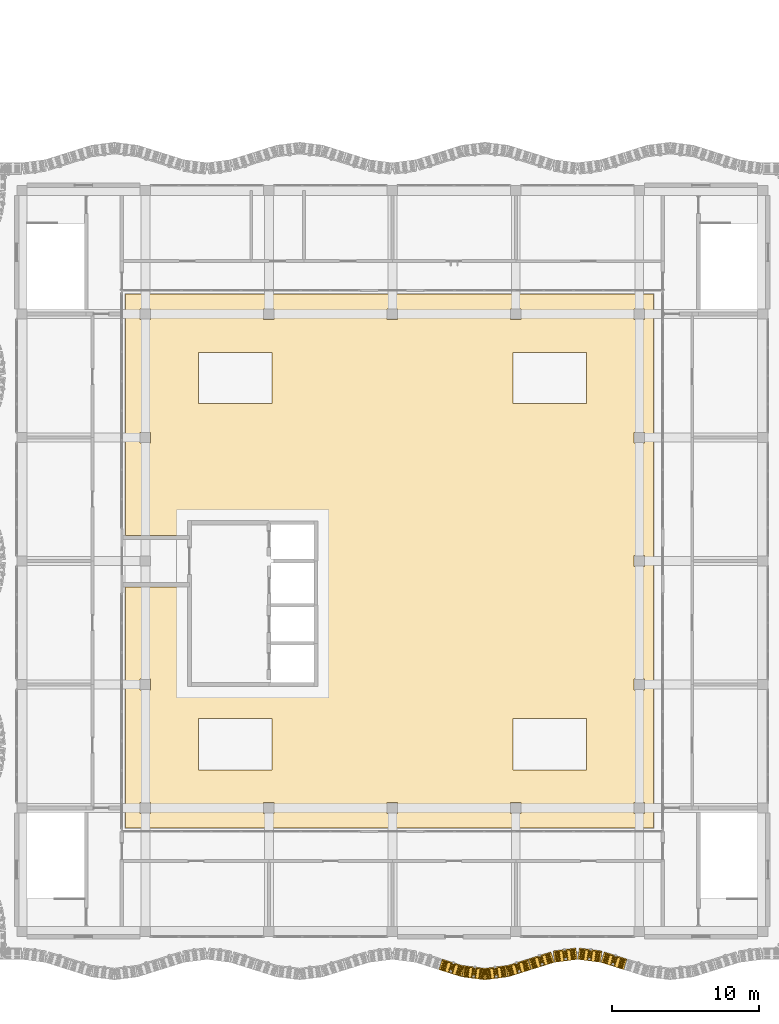
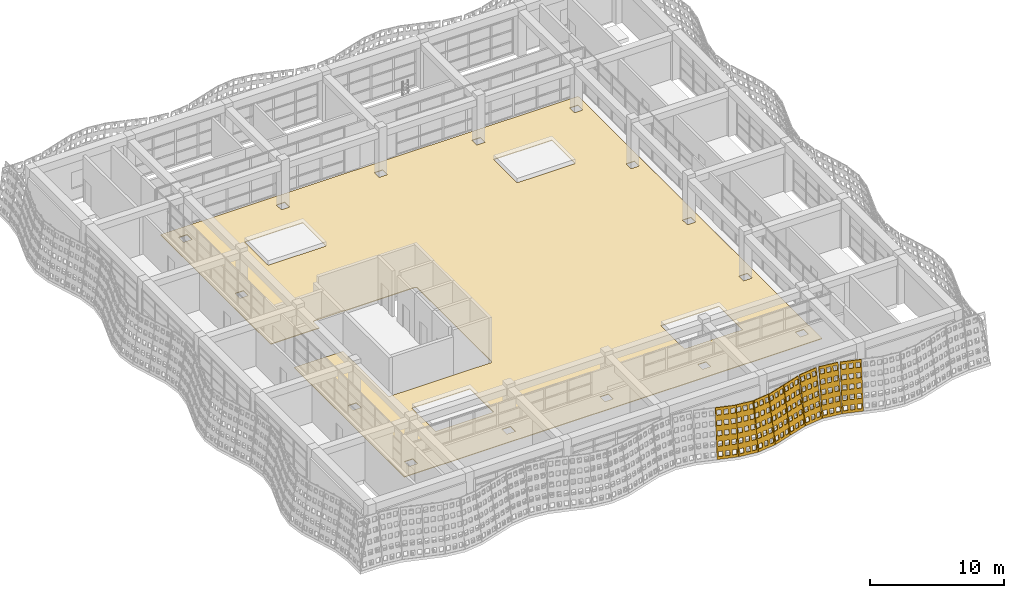
# One storey, part 75 of 85: 9 coverings.
"""IFC4 building model written with IfcOpenShell, lengths in metres."""

from ifc_helpers import new_model, si_unit, direction, frame, origin, place, context, subcontext, project, spatial, polyline, outline, extrude, material, layer, layer_set, type_object, element, save


model = new_model("IFC4")

# Units and contexts
model_context = context("Model", 3, precision=1e-05, world=origin(), true_north=direction((0.0, 1.0)))
body_context = subcontext(model_context, "Body", "Model", "MODEL_VIEW")
ifc_project = project(units=[si_unit("LENGTHUNIT", "METRE"), si_unit("AREAUNIT", "SQUARE_METRE"), si_unit("VOLUMEUNIT", "CUBIC_METRE"), si_unit("PLANEANGLEUNIT", "RADIAN"), si_unit("MASSUNIT", "GRAM", prefix="KILO")], contexts=[model_context])

# Site, building, storey
site_placement = place(None, origin())
site = spatial("IfcSite", under=ifc_project, at=site_placement, CompositionType="ELEMENT")
building_placement = place(site_placement, origin())
building = spatial("IfcBuilding", under=site, at=building_placement, Name="Rain Tree Exposition and Congress Centre", CompositionType="ELEMENT")
storey_placement = place(building_placement, frame((0.0, 0.0, 15.0)))
storey = spatial("IfcBuildingStorey", under=building, at=storey_placement, Name="L03", CompositionType="ELEMENT", Elevation=15.0)

# Coverings
ifc_material_1 = material(Name="Perforated terracotta", Category="masonry")
ifc_layer_1 = layer(ifc_material_1, 0.080078125)
ifc_layer_set_1 = layer_set([ifc_layer_1], Name="Perforated terracotta")
covering_type_1 = type_object("IfcCoveringType", Name="Terracotta screen 80", PredefinedType="CLADDING", material=ifc_layer_set_1)
covering_1_placement = place(storey_placement, frame((28.3505859375, -2.598388671875, 0.0126953125), z_axis=(0.295717964052, 0.942029390639, -0.158529217842), x_axis=(-0.954094597562, 0.29950542383, 0.0)))
element("IfcCovering", 1, at=covering_1_placement, inside=storey, type_object=covering_type_1, Name="wing/screen/L03/019", PredefinedType="CLADDING", context=body_context, shape_type="SweptSolid", body=[
    extrude(outline(polyline([(-1.62890625, 0.0), (-1.62890625, 4.291259765625), (-0.014892578125, 4.291259765625), (-0.014892578125, 0.0), (-1.62890625, 0.0)]), holes=[polyline([(-0.1171875, 0.221435546875), (-0.1171875, 0.63671875), (-0.45068359375, 0.63671875), (-0.45068359375, 0.221435546875), (-0.1171875, 0.221435546875)]), polyline([(-0.1171875, 1.07958984375), (-0.1171875, 1.4951171875), (-0.45068359375, 1.4951171875), (-0.45068359375, 1.07958984375), (-0.1171875, 1.07958984375)]), polyline([(-0.1171875, 1.93798828125), (-0.1171875, 2.353271484375), (-0.45068359375, 2.353271484375), (-0.45068359375, 1.93798828125), (-0.1171875, 1.93798828125)]), polyline([(-0.1171875, 2.796142578125), (-0.1171875, 3.21142578125), (-0.45068359375, 3.21142578125), (-0.45068359375, 2.796142578125), (-0.1171875, 2.796142578125)]), polyline([(-0.1171875, 3.654541015625), (-0.1171875, 4.06982421875), (-0.45068359375, 4.06982421875), (-0.45068359375, 3.654541015625), (-0.1171875, 3.654541015625)]), polyline([(-0.6552734375, 0.221435546875), (-0.6552734375, 0.63671875), (-0.98876953125, 0.63671875), (-0.98876953125, 0.221435546875), (-0.6552734375, 0.221435546875)]), polyline([(-0.6552734375, 1.07958984375), (-0.6552734375, 1.4951171875), (-0.98876953125, 1.4951171875), (-0.98876953125, 1.07958984375), (-0.6552734375, 1.07958984375)]), polyline([(-0.6552734375, 1.93798828125), (-0.6552734375, 2.353271484375), (-0.98876953125, 2.353271484375), (-0.98876953125, 1.93798828125), (-0.6552734375, 1.93798828125)]), polyline([(-0.6552734375, 2.796142578125), (-0.6552734375, 3.21142578125), (-0.98876953125, 3.21142578125), (-0.98876953125, 2.796142578125), (-0.6552734375, 2.796142578125)]), polyline([(-0.6552734375, 3.654541015625), (-0.6552734375, 4.06982421875), (-0.98876953125, 4.06982421875), (-0.98876953125, 3.654541015625), (-0.6552734375, 3.654541015625)]), polyline([(-1.193115234375, 0.221435546875), (-1.193115234375, 0.63671875), (-1.526611328125, 0.63671875), (-1.526611328125, 0.221435546875), (-1.193115234375, 0.221435546875)]), polyline([(-1.193115234375, 1.07958984375), (-1.193115234375, 1.4951171875), (-1.526611328125, 1.4951171875), (-1.526611328125, 1.07958984375), (-1.193115234375, 1.07958984375)]), polyline([(-1.193115234375, 1.93798828125), (-1.193115234375, 2.353271484375), (-1.526611328125, 2.353271484375), (-1.526611328125, 1.93798828125), (-1.193115234375, 1.93798828125)]), polyline([(-1.193115234375, 2.796142578125), (-1.193115234375, 3.21142578125), (-1.526611328125, 3.21142578125), (-1.526611328125, 2.796142578125), (-1.193115234375, 2.796142578125)]), polyline([(-1.193115234375, 3.654541015625), (-1.193115234375, 4.06982421875), (-1.526611328125, 4.06982421875), (-1.526611328125, 3.654541015625), (-1.193115234375, 3.654541015625)])]), origin(), (0.0, 0.0, 1.0), 0.080078125),
])
covering_2_placement = place(storey_placement, frame((29.92529296875, -3.093017578125, 0.01318359375), z_axis=(0.128349774249, 0.9779030419, -0.165021138321), x_axis=(-0.991496427865, 0.130133906157, 0.0)))
element("IfcCovering", 2, at=covering_2_placement, inside=storey, type_object=covering_type_1, Name="wing/screen/L03/020", PredefinedType="CLADDING", context=body_context, shape_type="SweptSolid", body=[
    extrude(outline(polyline([(-1.56298828125, 0.0), (-1.56298828125, 4.295166015625), (-0.02197265625, 4.295166015625), (-0.02197265625, 0.0), (-1.56298828125, 0.0)]), holes=[polyline([(-0.11962890625, 0.2216796875), (-0.11962890625, 0.63720703125), (-0.43798828125, 0.63720703125), (-0.43798828125, 0.2216796875), (-0.11962890625, 0.2216796875)]), polyline([(-0.11962890625, 1.080810546875), (-0.11962890625, 1.496337890625), (-0.43798828125, 1.496337890625), (-0.43798828125, 1.080810546875), (-0.11962890625, 1.080810546875)]), polyline([(-0.11962890625, 1.939697265625), (-0.11962890625, 2.35546875), (-0.43798828125, 2.35546875), (-0.43798828125, 1.939697265625), (-0.11962890625, 1.939697265625)]), polyline([(-0.11962890625, 2.798583984375), (-0.11962890625, 3.21435546875), (-0.43798828125, 3.21435546875), (-0.43798828125, 2.798583984375), (-0.11962890625, 2.798583984375)]), polyline([(-0.11962890625, 3.65771484375), (-0.11962890625, 4.073486328125), (-0.43798828125, 4.073486328125), (-0.43798828125, 3.65771484375), (-0.11962890625, 3.65771484375)]), polyline([(-0.63330078125, 0.2216796875), (-0.63330078125, 0.63720703125), (-0.95166015625, 0.63720703125), (-0.95166015625, 0.2216796875), (-0.63330078125, 0.2216796875)]), polyline([(-0.63330078125, 1.080810546875), (-0.63330078125, 1.496337890625), (-0.95166015625, 1.496337890625), (-0.95166015625, 1.080810546875), (-0.63330078125, 1.080810546875)]), polyline([(-0.63330078125, 1.939697265625), (-0.63330078125, 2.35546875), (-0.95166015625, 2.35546875), (-0.95166015625, 1.939697265625), (-0.63330078125, 1.939697265625)]), polyline([(-0.63330078125, 2.798583984375), (-0.63330078125, 3.21435546875), (-0.95166015625, 3.21435546875), (-0.95166015625, 2.798583984375), (-0.63330078125, 2.798583984375)]), polyline([(-0.63330078125, 3.65771484375), (-0.63330078125, 4.073486328125), (-0.95166015625, 4.073486328125), (-0.95166015625, 3.65771484375), (-0.63330078125, 3.65771484375)]), polyline([(-1.146728515625, 0.2216796875), (-1.146728515625, 0.63720703125), (-1.46533203125, 0.63720703125), (-1.46533203125, 0.2216796875), (-1.146728515625, 0.2216796875)]), polyline([(-1.146728515625, 1.080810546875), (-1.146728515625, 1.496337890625), (-1.46533203125, 1.496337890625), (-1.46533203125, 1.080810546875), (-1.146728515625, 1.080810546875)]), polyline([(-1.146728515625, 1.939697265625), (-1.146728515625, 2.35546875), (-1.46533203125, 2.35546875), (-1.46533203125, 1.939697265625), (-1.146728515625, 1.939697265625)]), polyline([(-1.146728515625, 2.798583984375), (-1.146728515625, 3.21435546875), (-1.46533203125, 3.21435546875), (-1.46533203125, 2.798583984375), (-1.146728515625, 2.798583984375)]), polyline([(-1.146728515625, 3.65771484375), (-1.146728515625, 4.073486328125), (-1.46533203125, 4.073486328125), (-1.46533203125, 3.65771484375), (-1.146728515625, 3.65771484375)])]), origin(), (0.0, 0.0, 1.0), 0.079833984375),
])
covering_3_placement = place(storey_placement, frame((31.499755859375, -3.298095703125, 0.01318359375), z_axis=(-0.128349774249, 0.9779030419, -0.165021138321), x_axis=(-0.991496427865, -0.130133906157, 0.0)))
element("IfcCovering", 3, at=covering_3_placement, inside=storey, type_object=covering_type_1, Name="wing/screen/L03/021", PredefinedType="CLADDING", context=body_context, shape_type="SweptSolid", body=[
    extrude(outline(polyline([(-1.56640625, 0.0), (-1.56640625, 4.295166015625), (-0.025390625, 4.295166015625), (-0.025390625, 0.0), (-1.56640625, 0.0)]), holes=[polyline([(-0.123046875, 0.2216796875), (-0.123046875, 0.63720703125), (-0.44140625, 0.63720703125), (-0.44140625, 0.2216796875), (-0.123046875, 0.2216796875)]), polyline([(-0.123046875, 1.080810546875), (-0.123046875, 1.496337890625), (-0.44140625, 1.496337890625), (-0.44140625, 1.080810546875), (-0.123046875, 1.080810546875)]), polyline([(-0.123046875, 1.939697265625), (-0.123046875, 2.35546875), (-0.44140625, 2.35546875), (-0.44140625, 1.939697265625), (-0.123046875, 1.939697265625)]), polyline([(-0.123046875, 2.798583984375), (-0.123046875, 3.21435546875), (-0.44140625, 3.21435546875), (-0.44140625, 2.798583984375), (-0.123046875, 2.798583984375)]), polyline([(-0.123046875, 3.65771484375), (-0.123046875, 4.073486328125), (-0.44140625, 4.073486328125), (-0.44140625, 3.65771484375), (-0.123046875, 3.65771484375)]), polyline([(-0.63671875, 0.2216796875), (-0.63671875, 0.63720703125), (-0.955078125, 0.63720703125), (-0.955078125, 0.2216796875), (-0.63671875, 0.2216796875)]), polyline([(-0.63671875, 1.080810546875), (-0.63671875, 1.496337890625), (-0.955078125, 1.496337890625), (-0.955078125, 1.080810546875), (-0.63671875, 1.080810546875)]), polyline([(-0.63671875, 1.939697265625), (-0.63671875, 2.35546875), (-0.955078125, 2.35546875), (-0.955078125, 1.939697265625), (-0.63671875, 1.939697265625)]), polyline([(-0.63671875, 2.798583984375), (-0.63671875, 3.21435546875), (-0.955078125, 3.21435546875), (-0.955078125, 2.798583984375), (-0.63671875, 2.798583984375)]), polyline([(-0.63671875, 3.65771484375), (-0.63671875, 4.073486328125), (-0.955078125, 4.073486328125), (-0.955078125, 3.65771484375), (-0.63671875, 3.65771484375)]), polyline([(-1.150146484375, 0.2216796875), (-1.150146484375, 0.63720703125), (-1.46875, 0.63720703125), (-1.46875, 0.2216796875), (-1.150146484375, 0.2216796875)]), polyline([(-1.150146484375, 1.080810546875), (-1.150146484375, 1.496337890625), (-1.46875, 1.496337890625), (-1.46875, 1.080810546875), (-1.150146484375, 1.080810546875)]), polyline([(-1.150146484375, 1.939697265625), (-1.150146484375, 2.35546875), (-1.46875, 2.35546875), (-1.46875, 1.939697265625), (-1.150146484375, 1.939697265625)]), polyline([(-1.150146484375, 2.798583984375), (-1.150146484375, 3.21435546875), (-1.46875, 3.21435546875), (-1.46875, 2.798583984375), (-1.150146484375, 2.798583984375)]), polyline([(-1.150146484375, 3.65771484375), (-1.150146484375, 4.073486328125), (-1.46875, 4.073486328125), (-1.46875, 3.65771484375), (-1.150146484375, 3.65771484375)])]), origin(), (0.0, 0.0, 1.0), 0.079833984375),
])
covering_4_placement = place(storey_placement, frame((33.074462890625, -3.093505859375, 0.0126953125), z_axis=(-0.295717964052, 0.942029390639, -0.158529217842), x_axis=(-0.954094597562, -0.29950542383, 0.0)))
element("IfcCovering", 4, at=covering_4_placement, inside=storey, type_object=covering_type_1, Name="wing/screen/L03/022", PredefinedType="CLADDING", context=body_context, shape_type="SweptSolid", body=[
    extrude(outline(polyline([(-1.635986328125, 0.0), (-1.635986328125, 4.291259765625), (-0.02197265625, 4.291259765625), (-0.02197265625, 0.0), (-1.635986328125, 0.0)]), holes=[polyline([(-0.124267578125, 0.221435546875), (-0.124267578125, 0.63671875), (-0.457763671875, 0.63671875), (-0.457763671875, 0.221435546875), (-0.124267578125, 0.221435546875)]), polyline([(-0.124267578125, 1.07958984375), (-0.124267578125, 1.4951171875), (-0.457763671875, 1.4951171875), (-0.457763671875, 1.07958984375), (-0.124267578125, 1.07958984375)]), polyline([(-0.124267578125, 1.93798828125), (-0.124267578125, 2.353271484375), (-0.457763671875, 2.353271484375), (-0.457763671875, 1.93798828125), (-0.124267578125, 1.93798828125)]), polyline([(-0.124267578125, 2.796142578125), (-0.124267578125, 3.21142578125), (-0.457763671875, 3.21142578125), (-0.457763671875, 2.796142578125), (-0.124267578125, 2.796142578125)]), polyline([(-0.124267578125, 3.654541015625), (-0.124267578125, 4.06982421875), (-0.457763671875, 4.06982421875), (-0.457763671875, 3.654541015625), (-0.124267578125, 3.654541015625)]), polyline([(-0.662109375, 0.221435546875), (-0.662109375, 0.63671875), (-0.995849609375, 0.63671875), (-0.995849609375, 0.221435546875), (-0.662109375, 0.221435546875)]), polyline([(-0.662109375, 1.07958984375), (-0.662109375, 1.4951171875), (-0.995849609375, 1.4951171875), (-0.995849609375, 1.07958984375), (-0.662109375, 1.07958984375)]), polyline([(-0.662109375, 1.93798828125), (-0.662109375, 2.353271484375), (-0.995849609375, 2.353271484375), (-0.995849609375, 1.93798828125), (-0.662109375, 1.93798828125)]), polyline([(-0.662109375, 2.796142578125), (-0.662109375, 3.21142578125), (-0.995849609375, 3.21142578125), (-0.995849609375, 2.796142578125), (-0.662109375, 2.796142578125)]), polyline([(-0.662109375, 3.654541015625), (-0.662109375, 4.06982421875), (-0.995849609375, 4.06982421875), (-0.995849609375, 3.654541015625), (-0.662109375, 3.654541015625)]), polyline([(-1.2001953125, 0.221435546875), (-1.2001953125, 0.63671875), (-1.53369140625, 0.63671875), (-1.53369140625, 0.221435546875), (-1.2001953125, 0.221435546875)]), polyline([(-1.2001953125, 1.07958984375), (-1.2001953125, 1.4951171875), (-1.53369140625, 1.4951171875), (-1.53369140625, 1.07958984375), (-1.2001953125, 1.07958984375)]), polyline([(-1.2001953125, 1.93798828125), (-1.2001953125, 2.353271484375), (-1.53369140625, 2.353271484375), (-1.53369140625, 1.93798828125), (-1.2001953125, 1.93798828125)]), polyline([(-1.2001953125, 2.796142578125), (-1.2001953125, 3.21142578125), (-1.53369140625, 3.21142578125), (-1.53369140625, 2.796142578125), (-1.2001953125, 2.796142578125)]), polyline([(-1.2001953125, 3.654541015625), (-1.2001953125, 4.06982421875), (-1.53369140625, 4.06982421875), (-1.53369140625, 3.654541015625), (-1.2001953125, 3.654541015625)])]), origin(), (0.0, 0.0, 1.0), 0.080078125),
])
covering_5_placement = place(storey_placement, frame((34.6494140625, -2.598388671875, 0.0126953125), z_axis=(-0.295717964052, 0.942029390639, -0.158529217842), x_axis=(-0.954094597562, -0.29950542383, 0.0)))
element("IfcCovering", 5, at=covering_5_placement, inside=storey, type_object=covering_type_1, Name="wing/screen/L03/023", PredefinedType="CLADDING", context=body_context, shape_type="SweptSolid", body=[
    extrude(outline(polyline([(-1.635986328125, 0.0), (-1.635986328125, 4.291259765625), (-0.014892578125, 4.291259765625), (-0.014892578125, 0.0), (-1.635986328125, 0.0)]), holes=[polyline([(-0.11767578125, 0.221435546875), (-0.11767578125, 0.63671875), (-0.45263671875, 0.63671875), (-0.45263671875, 0.221435546875), (-0.11767578125, 0.221435546875)]), polyline([(-0.11767578125, 1.07958984375), (-0.11767578125, 1.4951171875), (-0.45263671875, 1.4951171875), (-0.45263671875, 1.07958984375), (-0.11767578125, 1.07958984375)]), polyline([(-0.11767578125, 1.93798828125), (-0.11767578125, 2.353271484375), (-0.45263671875, 2.353271484375), (-0.45263671875, 1.93798828125), (-0.11767578125, 1.93798828125)]), polyline([(-0.11767578125, 2.796142578125), (-0.11767578125, 3.21142578125), (-0.45263671875, 3.21142578125), (-0.45263671875, 2.796142578125), (-0.11767578125, 2.796142578125)]), polyline([(-0.11767578125, 3.654541015625), (-0.11767578125, 4.06982421875), (-0.45263671875, 4.06982421875), (-0.45263671875, 3.654541015625), (-0.11767578125, 3.654541015625)]), polyline([(-0.657958984375, 0.221435546875), (-0.657958984375, 0.63671875), (-0.992919921875, 0.63671875), (-0.992919921875, 0.221435546875), (-0.657958984375, 0.221435546875)]), polyline([(-0.657958984375, 1.07958984375), (-0.657958984375, 1.4951171875), (-0.992919921875, 1.4951171875), (-0.992919921875, 1.07958984375), (-0.657958984375, 1.07958984375)]), polyline([(-0.657958984375, 1.93798828125), (-0.657958984375, 2.353271484375), (-0.992919921875, 2.353271484375), (-0.992919921875, 1.93798828125), (-0.657958984375, 1.93798828125)]), polyline([(-0.657958984375, 2.796142578125), (-0.657958984375, 3.21142578125), (-0.992919921875, 3.21142578125), (-0.992919921875, 2.796142578125), (-0.657958984375, 2.796142578125)]), polyline([(-0.657958984375, 3.654541015625), (-0.657958984375, 4.06982421875), (-0.992919921875, 4.06982421875), (-0.992919921875, 3.654541015625), (-0.657958984375, 3.654541015625)]), polyline([(-1.1982421875, 0.221435546875), (-1.1982421875, 0.63671875), (-1.533203125, 0.63671875), (-1.533203125, 0.221435546875), (-1.1982421875, 0.221435546875)]), polyline([(-1.1982421875, 1.07958984375), (-1.1982421875, 1.4951171875), (-1.533203125, 1.4951171875), (-1.533203125, 1.07958984375), (-1.1982421875, 1.07958984375)]), polyline([(-1.1982421875, 1.93798828125), (-1.1982421875, 2.353271484375), (-1.533203125, 2.353271484375), (-1.533203125, 1.93798828125), (-1.1982421875, 1.93798828125)]), polyline([(-1.1982421875, 2.796142578125), (-1.1982421875, 3.21142578125), (-1.533203125, 3.21142578125), (-1.533203125, 2.796142578125), (-1.1982421875, 2.796142578125)]), polyline([(-1.1982421875, 3.654541015625), (-1.1982421875, 4.06982421875), (-1.533203125, 4.06982421875), (-1.533203125, 3.654541015625), (-1.1982421875, 3.654541015625)])]), origin(), (0.0, 0.0, 1.0), 0.080078125),
])
covering_6_placement = place(storey_placement, frame((36.224609375, -2.10302734375, 0.01318359375), z_axis=(-0.125342414455, 0.978282259159, -0.165085131233), x_axis=(-0.991891686382, -0.127086122318, 0.0)))
element("IfcCovering", 6, at=covering_6_placement, inside=storey, type_object=covering_type_1, Name="wing/screen/L03/024", PredefinedType="CLADDING", context=body_context, shape_type="SweptSolid", body=[
    extrude(outline(polyline([(-1.5732421875, 0.0), (-1.5732421875, 4.295166015625), (-0.014892578125, 4.295166015625), (-0.014892578125, 0.0), (-1.5732421875, 0.0)]), holes=[polyline([(-0.11376953125, 0.2216796875), (-0.11376953125, 0.63720703125), (-0.435791015625, 0.63720703125), (-0.435791015625, 0.2216796875), (-0.11376953125, 0.2216796875)]), polyline([(-0.11376953125, 1.080810546875), (-0.11376953125, 1.496337890625), (-0.435791015625, 1.496337890625), (-0.435791015625, 1.080810546875), (-0.11376953125, 1.080810546875)]), polyline([(-0.11376953125, 1.939697265625), (-0.11376953125, 2.35546875), (-0.435791015625, 2.35546875), (-0.435791015625, 1.939697265625), (-0.11376953125, 1.939697265625)]), polyline([(-0.11376953125, 2.798583984375), (-0.11376953125, 3.21435546875), (-0.435791015625, 3.21435546875), (-0.435791015625, 2.798583984375), (-0.11376953125, 2.798583984375)]), polyline([(-0.11376953125, 3.65771484375), (-0.11376953125, 4.073486328125), (-0.435791015625, 4.073486328125), (-0.435791015625, 3.65771484375), (-0.11376953125, 3.65771484375)]), polyline([(-0.633056640625, 0.2216796875), (-0.633056640625, 0.63720703125), (-0.955078125, 0.63720703125), (-0.955078125, 0.2216796875), (-0.633056640625, 0.2216796875)]), polyline([(-0.633056640625, 1.080810546875), (-0.633056640625, 1.496337890625), (-0.955078125, 1.496337890625), (-0.955078125, 1.080810546875), (-0.633056640625, 1.080810546875)]), polyline([(-0.633056640625, 1.939697265625), (-0.633056640625, 2.35546875), (-0.955078125, 2.35546875), (-0.955078125, 1.939697265625), (-0.633056640625, 1.939697265625)]), polyline([(-0.633056640625, 2.798583984375), (-0.633056640625, 3.21435546875), (-0.955078125, 3.21435546875), (-0.955078125, 2.798583984375), (-0.633056640625, 2.798583984375)]), polyline([(-0.633056640625, 3.65771484375), (-0.633056640625, 4.073486328125), (-0.955078125, 4.073486328125), (-0.955078125, 3.65771484375), (-0.633056640625, 3.65771484375)]), polyline([(-1.152587890625, 0.2216796875), (-1.152587890625, 0.63720703125), (-1.474609375, 0.63720703125), (-1.474609375, 0.2216796875), (-1.152587890625, 0.2216796875)]), polyline([(-1.152587890625, 1.080810546875), (-1.152587890625, 1.496337890625), (-1.474609375, 1.496337890625), (-1.474609375, 1.080810546875), (-1.152587890625, 1.080810546875)]), polyline([(-1.152587890625, 1.939697265625), (-1.152587890625, 2.35546875), (-1.474609375, 2.35546875), (-1.474609375, 1.939697265625), (-1.152587890625, 1.939697265625)]), polyline([(-1.152587890625, 2.798583984375), (-1.152587890625, 3.21435546875), (-1.474609375, 3.21435546875), (-1.474609375, 2.798583984375), (-1.152587890625, 2.798583984375)]), polyline([(-1.152587890625, 3.65771484375), (-1.152587890625, 4.073486328125), (-1.474609375, 4.073486328125), (-1.474609375, 3.65771484375), (-1.152587890625, 3.65771484375)])]), origin(), (0.0, 0.0, 1.0), 0.079833984375),
])
covering_7_placement = place(storey_placement, frame((37.80029296875, -1.898193359375, 0.01318359375), z_axis=(0.127967328105, 0.978036007662, -0.16452942185), x_axis=(-0.991548658387, 0.129735338481, 0.0)))
element("IfcCovering", 7, at=covering_7_placement, inside=storey, type_object=covering_type_1, Name="wing/screen/L03/025", PredefinedType="CLADDING", context=body_context, shape_type="SweptSolid", body=[
    extrude(outline(polyline([(-1.5732421875, 0.0), (-1.5732421875, 4.295166015625), (-0.014892578125, 4.295166015625), (-0.014892578125, 0.0), (-1.5732421875, 0.0)]), holes=[polyline([(-0.11376953125, 0.2216796875), (-0.11376953125, 0.63720703125), (-0.435791015625, 0.63720703125), (-0.435791015625, 0.2216796875), (-0.11376953125, 0.2216796875)]), polyline([(-0.11376953125, 1.080810546875), (-0.11376953125, 1.496337890625), (-0.435791015625, 1.496337890625), (-0.435791015625, 1.080810546875), (-0.11376953125, 1.080810546875)]), polyline([(-0.11376953125, 1.939697265625), (-0.11376953125, 2.35546875), (-0.435791015625, 2.35546875), (-0.435791015625, 1.939697265625), (-0.11376953125, 1.939697265625)]), polyline([(-0.11376953125, 2.798583984375), (-0.11376953125, 3.21435546875), (-0.435791015625, 3.21435546875), (-0.435791015625, 2.798583984375), (-0.11376953125, 2.798583984375)]), polyline([(-0.11376953125, 3.65771484375), (-0.11376953125, 4.073486328125), (-0.435791015625, 4.073486328125), (-0.435791015625, 3.65771484375), (-0.11376953125, 3.65771484375)]), polyline([(-0.633056640625, 0.2216796875), (-0.633056640625, 0.63720703125), (-0.955078125, 0.63720703125), (-0.955078125, 0.2216796875), (-0.633056640625, 0.2216796875)]), polyline([(-0.633056640625, 1.080810546875), (-0.633056640625, 1.496337890625), (-0.955078125, 1.496337890625), (-0.955078125, 1.080810546875), (-0.633056640625, 1.080810546875)]), polyline([(-0.633056640625, 1.939697265625), (-0.633056640625, 2.35546875), (-0.955078125, 2.35546875), (-0.955078125, 1.939697265625), (-0.633056640625, 1.939697265625)]), polyline([(-0.633056640625, 2.798583984375), (-0.633056640625, 3.21435546875), (-0.955078125, 3.21435546875), (-0.955078125, 2.798583984375), (-0.633056640625, 2.798583984375)]), polyline([(-0.633056640625, 3.65771484375), (-0.633056640625, 4.073486328125), (-0.955078125, 4.073486328125), (-0.955078125, 3.65771484375), (-0.633056640625, 3.65771484375)]), polyline([(-1.152587890625, 0.2216796875), (-1.152587890625, 0.63720703125), (-1.474609375, 0.63720703125), (-1.474609375, 0.2216796875), (-1.152587890625, 0.2216796875)]), polyline([(-1.152587890625, 1.080810546875), (-1.152587890625, 1.496337890625), (-1.474609375, 1.496337890625), (-1.474609375, 1.080810546875), (-1.152587890625, 1.080810546875)]), polyline([(-1.152587890625, 1.939697265625), (-1.152587890625, 2.35546875), (-1.474609375, 2.35546875), (-1.474609375, 1.939697265625), (-1.152587890625, 1.939697265625)]), polyline([(-1.152587890625, 2.798583984375), (-1.152587890625, 3.21435546875), (-1.474609375, 3.21435546875), (-1.474609375, 2.798583984375), (-1.152587890625, 2.798583984375)]), polyline([(-1.152587890625, 3.65771484375), (-1.152587890625, 4.073486328125), (-1.474609375, 4.073486328125), (-1.474609375, 3.65771484375), (-1.152587890625, 3.65771484375)])]), origin(), (0.0, 0.0, 1.0), 0.080078125),
])
covering_8_placement = place(storey_placement, frame((39.37548828125, -2.103515625, 0.0126953125), z_axis=(0.298496232686, 0.941176896939, -0.158385756119), x_axis=(-0.953208958144, 0.302312226207, 0.0)))
element("IfcCovering", 8, at=covering_8_placement, inside=storey, type_object=covering_type_1, Name="wing/screen/L03/026", PredefinedType="CLADDING", context=body_context, shape_type="SweptSolid", body=[
    extrude(outline(polyline([(-1.635986328125, 0.0), (-1.635986328125, 4.291259765625), (-0.014892578125, 4.291259765625), (-0.014892578125, 0.0), (-1.635986328125, 0.0)]), holes=[polyline([(-0.11767578125, 0.221435546875), (-0.11767578125, 0.63671875), (-0.45263671875, 0.63671875), (-0.45263671875, 0.221435546875), (-0.11767578125, 0.221435546875)]), polyline([(-0.11767578125, 1.07958984375), (-0.11767578125, 1.4951171875), (-0.45263671875, 1.4951171875), (-0.45263671875, 1.07958984375), (-0.11767578125, 1.07958984375)]), polyline([(-0.11767578125, 1.93798828125), (-0.11767578125, 2.353271484375), (-0.45263671875, 2.353271484375), (-0.45263671875, 1.93798828125), (-0.11767578125, 1.93798828125)]), polyline([(-0.11767578125, 2.796142578125), (-0.11767578125, 3.21142578125), (-0.45263671875, 3.21142578125), (-0.45263671875, 2.796142578125), (-0.11767578125, 2.796142578125)]), polyline([(-0.11767578125, 3.654541015625), (-0.11767578125, 4.06982421875), (-0.45263671875, 4.06982421875), (-0.45263671875, 3.654541015625), (-0.11767578125, 3.654541015625)]), polyline([(-0.657958984375, 0.221435546875), (-0.657958984375, 0.63671875), (-0.992919921875, 0.63671875), (-0.992919921875, 0.221435546875), (-0.657958984375, 0.221435546875)]), polyline([(-0.657958984375, 1.07958984375), (-0.657958984375, 1.4951171875), (-0.992919921875, 1.4951171875), (-0.992919921875, 1.07958984375), (-0.657958984375, 1.07958984375)]), polyline([(-0.657958984375, 1.93798828125), (-0.657958984375, 2.353271484375), (-0.992919921875, 2.353271484375), (-0.992919921875, 1.93798828125), (-0.657958984375, 1.93798828125)]), polyline([(-0.657958984375, 2.796142578125), (-0.657958984375, 3.21142578125), (-0.992919921875, 3.21142578125), (-0.992919921875, 2.796142578125), (-0.657958984375, 2.796142578125)]), polyline([(-0.657958984375, 3.654541015625), (-0.657958984375, 4.06982421875), (-0.992919921875, 4.06982421875), (-0.992919921875, 3.654541015625), (-0.657958984375, 3.654541015625)]), polyline([(-1.1982421875, 0.221435546875), (-1.1982421875, 0.63671875), (-1.533203125, 0.63671875), (-1.533203125, 0.221435546875), (-1.1982421875, 0.221435546875)]), polyline([(-1.1982421875, 1.07958984375), (-1.1982421875, 1.4951171875), (-1.533203125, 1.4951171875), (-1.533203125, 1.07958984375), (-1.1982421875, 1.07958984375)]), polyline([(-1.1982421875, 1.93798828125), (-1.1982421875, 2.353271484375), (-1.533203125, 2.353271484375), (-1.533203125, 1.93798828125), (-1.1982421875, 1.93798828125)]), polyline([(-1.1982421875, 2.796142578125), (-1.1982421875, 3.21142578125), (-1.533203125, 3.21142578125), (-1.533203125, 2.796142578125), (-1.1982421875, 2.796142578125)]), polyline([(-1.1982421875, 3.654541015625), (-1.1982421875, 4.06982421875), (-1.533203125, 4.06982421875), (-1.533203125, 3.654541015625), (-1.1982421875, 3.654541015625)])]), origin(), (0.0, 0.0, 1.0), 0.080078125),
])
ifc_material_2 = material(Name="Granite paving on pedestals", Category="masonry")
ifc_layer_2 = layer(ifc_material_2, 0.06005859375)
ifc_layer_set_2 = layer_set([ifc_layer_2], Name="Granite paving on pedestals")
covering_type_2 = type_object("IfcCoveringType", Name="Wing court paving 60", PredefinedType="FLOORING", material=ifc_layer_set_2)
covering_9_placement = place(storey_placement, origin())
element("IfcCovering", 9, at=covering_9_placement, inside=storey, type_object=covering_type_2, Name="wing/court/paving/01", PredefinedType="FLOORING", context=body_context, shape_type="SweptSolid", body=[
    extrude(outline(polyline([(20.0146484375, 16.650634765625), (20.0, 16.64990234375), (11.39990234375, 16.64990234375), (11.38525390625, 16.650634765625), (11.37060546875, 16.65283203125), (11.3564453125, 16.656494140625), (11.342529296875, 16.661376953125), (11.329345703125, 16.667724609375), (11.316650390625, 16.67529296875), (11.3046875, 16.68408203125), (11.2939453125, 16.69384765625), (11.283935546875, 16.704833984375), (11.275390625, 16.716796875), (11.267578125, 16.729248046875), (11.261474609375, 16.74267578125), (11.256591796875, 16.756591796875), (11.2529296875, 16.770751953125), (11.250732421875, 16.785400390625), (11.25, 16.800048828125), (11.25, 23.449951171875), (7.050048828125, 23.449951171875), (7.050048828125, 7.050048828125), (42.949951171875, 7.050048828125), (42.949951171875, 43.35009765625), (7.050048828125, 43.35009765625), (7.050048828125, 26.949951171875), (11.25, 26.949951171875), (11.25, 27.800048828125), (11.250732421875, 27.814697265625), (11.2529296875, 27.829345703125), (11.256591796875, 27.843505859375), (11.261474609375, 27.857421875), (11.267578125, 27.87060546875), (11.275390625, 27.88330078125), (11.283935546875, 27.895263671875), (11.2939453125, 27.906005859375), (11.3046875, 27.916015625), (11.316650390625, 27.9248046875), (11.329345703125, 27.932373046875), (11.342529296875, 27.938720703125), (11.3564453125, 27.943603515625), (11.37060546875, 27.947021484375), (11.38525390625, 27.94921875), (11.39990234375, 27.949951171875), (20.0, 27.949951171875), (20.0146484375, 27.94921875), (20.029296875, 27.947021484375), (20.04345703125, 27.943603515625), (20.057373046875, 27.938720703125), (20.07080078125, 27.932373046875), (20.083251953125, 27.9248046875), (20.09521484375, 27.916015625), (20.106201171875, 27.906005859375), (20.115966796875, 27.895263671875), (20.124755859375, 27.88330078125), (20.13232421875, 27.87060546875), (20.138671875, 27.857421875), (20.1435546875, 27.843505859375), (20.147216796875, 27.829345703125), (20.1494140625, 27.814697265625), (20.14990234375, 27.800048828125), (20.14990234375, 16.800048828125), (20.1494140625, 16.785400390625), (20.147216796875, 16.770751953125), (20.1435546875, 16.756591796875), (20.138671875, 16.74267578125), (20.13232421875, 16.729248046875), (20.124755859375, 16.716796875), (20.115966796875, 16.704833984375), (20.106201171875, 16.69384765625), (20.09521484375, 16.68408203125), (20.083251953125, 16.67529296875), (20.07080078125, 16.667724609375), (20.057373046875, 16.661376953125), (20.04345703125, 16.656494140625), (20.029296875, 16.65283203125), (20.0146484375, 16.650634765625)]), holes=[polyline([(8.760009765625, 8.0400390625), (8.0400390625, 8.0400390625), (8.0400390625, 8.760009765625), (8.760009765625, 8.760009765625), (8.760009765625, 8.0400390625)]), polyline([(8.0400390625, 16.43994140625), (8.0400390625, 17.159912109375), (8.760009765625, 17.159912109375), (8.760009765625, 16.43994140625), (8.0400390625, 16.43994140625)]), polyline([(8.760009765625, 33.9599609375), (8.760009765625, 33.239990234375), (8.0400390625, 33.239990234375), (8.0400390625, 33.9599609375), (8.760009765625, 33.9599609375)]), polyline([(8.760009765625, 41.639892578125), (8.0400390625, 41.639892578125), (8.0400390625, 42.360107421875), (8.760009765625, 42.360107421875), (8.760009765625, 41.639892578125)]), polyline([(41.639892578125, 8.0400390625), (41.639892578125, 8.760009765625), (42.360107421875, 8.760009765625), (42.360107421875, 8.0400390625), (41.639892578125, 8.0400390625)]), polyline([(41.639892578125, 17.159912109375), (42.360107421875, 17.159912109375), (42.360107421875, 16.43994140625), (41.639892578125, 16.43994140625), (41.639892578125, 17.159912109375)]), polyline([(42.360107421875, 25.56005859375), (42.360107421875, 24.840087890625), (41.639892578125, 24.840087890625), (41.639892578125, 25.56005859375), (42.360107421875, 25.56005859375)]), polyline([(42.360107421875, 33.239990234375), (41.639892578125, 33.239990234375), (41.639892578125, 33.9599609375), (42.360107421875, 33.9599609375), (42.360107421875, 33.239990234375)]), polyline([(41.639892578125, 41.639892578125), (41.639892578125, 42.360107421875), (42.360107421875, 42.360107421875), (42.360107421875, 41.639892578125), (41.639892578125, 41.639892578125)]), polyline([(16.43994140625, 8.760009765625), (17.159912109375, 8.760009765625), (17.159912109375, 8.0400390625), (16.43994140625, 8.0400390625), (16.43994140625, 8.760009765625)]), polyline([(25.56005859375, 8.760009765625), (25.56005859375, 8.0400390625), (24.840087890625, 8.0400390625), (24.840087890625, 8.760009765625), (25.56005859375, 8.760009765625)]), polyline([(33.9599609375, 8.0400390625), (33.239990234375, 8.0400390625), (33.239990234375, 8.760009765625), (33.9599609375, 8.760009765625), (33.9599609375, 8.0400390625)]), polyline([(16.43994140625, 41.639892578125), (16.43994140625, 42.360107421875), (17.159912109375, 42.360107421875), (17.159912109375, 41.639892578125), (16.43994140625, 41.639892578125)]), polyline([(24.840087890625, 42.360107421875), (25.56005859375, 42.360107421875), (25.56005859375, 41.639892578125), (24.840087890625, 41.639892578125), (24.840087890625, 42.360107421875)]), polyline([(33.9599609375, 42.360107421875), (33.9599609375, 41.639892578125), (33.239990234375, 41.639892578125), (33.239990234375, 42.360107421875), (33.9599609375, 42.360107421875)]), polyline([(17.0, 11.0), (12.0, 11.0), (12.0, 14.5), (17.0, 14.5), (17.0, 11.0)]), polyline([(33.39990234375, 11.0), (33.39990234375, 14.5), (38.39990234375, 14.5), (38.39990234375, 11.0), (33.39990234375, 11.0)]), polyline([(12.0, 39.39990234375), (17.0, 39.39990234375), (17.0, 35.89990234375), (12.0, 35.89990234375), (12.0, 39.39990234375)]), polyline([(38.39990234375, 39.39990234375), (38.39990234375, 35.89990234375), (33.39990234375, 35.89990234375), (33.39990234375, 39.39990234375), (38.39990234375, 39.39990234375)])]), origin(), (0.0, 0.0, 1.0), 0.06005859375),
])

save(model, "model.ifc")
